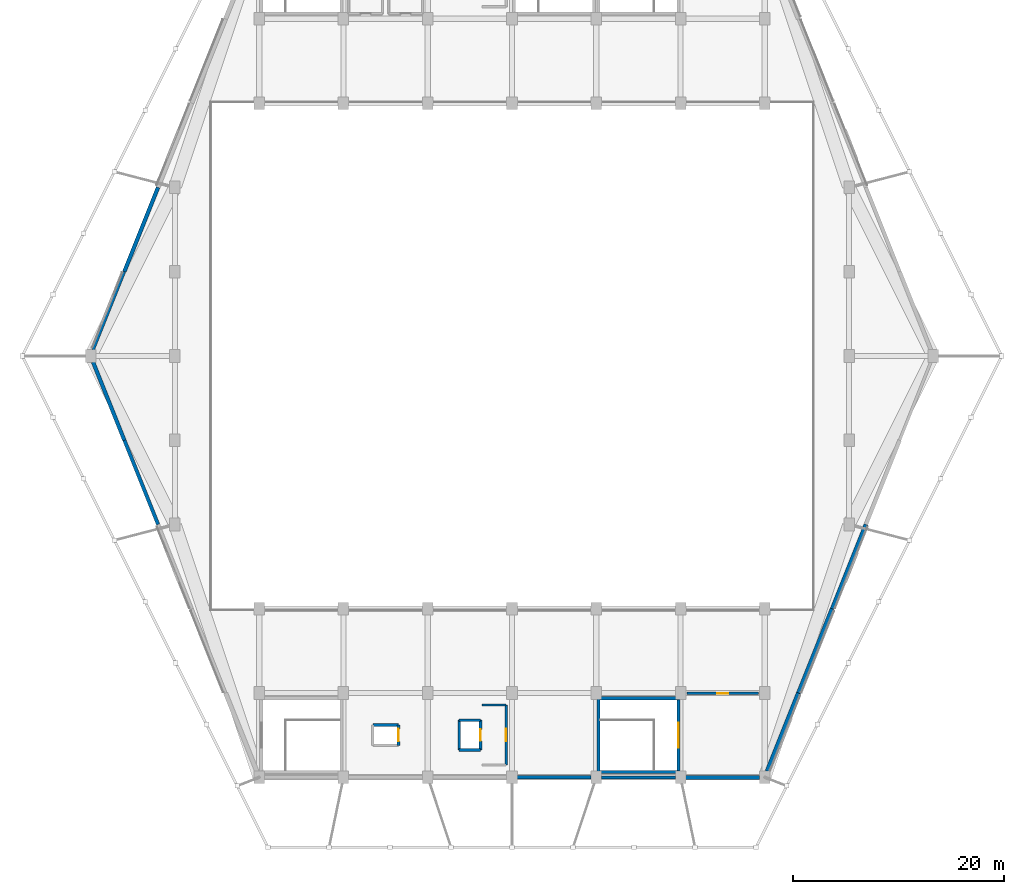
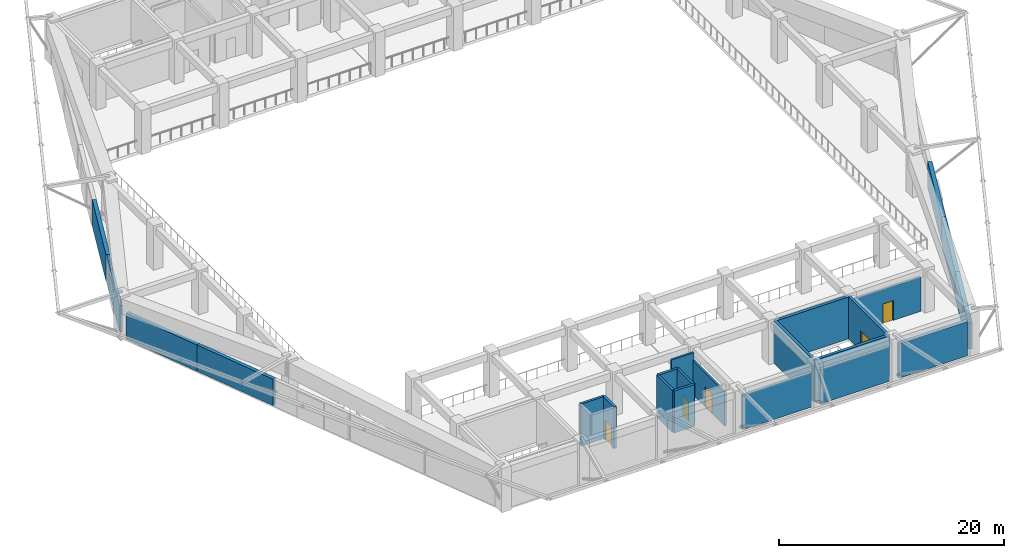
# One storey, part 5 of 9: 23 walls, 5 doors, 5 openings.
"""IFC4 building model written with IfcOpenShell, lengths in metres."""

from ifc_helpers import new_model, si_unit, direction, frame, frame_2d, origin, place, context, subcontext, project, spatial, rectangle, extrude, material, layer, layer_set, type_object, element, fill, save


model = new_model("IFC4")

# Units and contexts
model_context = context("Model", 3, precision=1e-05, world=origin(), true_north=direction((0.0, 1.0)))
body_context = subcontext(model_context, "Body", "Model", "MODEL_VIEW")
ifc_project = project(units=[si_unit("LENGTHUNIT", "METRE"), si_unit("AREAUNIT", "SQUARE_METRE"), si_unit("VOLUMEUNIT", "CUBIC_METRE"), si_unit("PLANEANGLEUNIT", "RADIAN"), si_unit("MASSUNIT", "GRAM", prefix="KILO")], contexts=[model_context])

# Site, building, storey
site_placement = place(None, origin())
site = spatial("IfcSite", under=ifc_project, at=site_placement, CompositionType="ELEMENT")
building_placement = place(site_placement, origin())
building = spatial("IfcBuilding", under=site, at=building_placement, Name="Tazarka Park Arena", CompositionType="ELEMENT")
storey_placement = place(building_placement, frame((0.0, 0.0, 24.60009765625)))
storey = spatial("IfcBuildingStorey", under=building, at=storey_placement, Name="L05", CompositionType="ELEMENT", Elevation=24.60009765625)

# Walls
ifc_material_1 = material(Name="Concrete C40/50", Category="concrete")
ifc_layer_1 = layer(ifc_material_1, 0.300048828125, Name="Concrete C40/50")
ifc_layer_set_1 = layer_set([ifc_layer_1], Name="Concrete C40/50")
wall_type_1 = type_object("IfcWallType", Name="IWAL-CW-S1", PredefinedType="SHEAR", material=ifc_layer_set_1)
wall_1_placement = place(storey_placement, frame((103.800048828125, 24.5, 0.0), z_axis=(0.0, 0.0, 1.0), x_axis=(-1.0, 0.0, 0.0)))
element("IfcWall", 1, at=wall_1_placement, inside=storey, type_object=wall_type_1, Name="SCW-L05-ST11-S", PredefinedType="SHEAR", context=body_context, shape_type="SweptSolid", body=[
    extrude(rectangle(XDim=7.60009765625, YDim=0.300048828125, at=frame_2d((3.800048828125, 0.0))), origin(), (0.0, 0.0, 1.0), 4.5498046875),
])
wall_2_placement = place(storey_placement, frame((96.199951171875, 24.5, 0.0), z_axis=(0.0, 0.0, 1.0), x_axis=(0.0, 1.0, 0.0)))
element("IfcWall", 2, at=wall_2_placement, inside=storey, type_object=wall_type_1, Name="SCW-L05-ST11-W", PredefinedType="SHEAR", context=body_context, shape_type="SweptSolid", body=[
    extrude(rectangle(XDim=7.0, YDim=0.300048828125, at=frame_2d((3.5, 0.0))), origin(), (0.0, 0.0, 1.0), 4.5498046875),
])
wall_3_placement = place(storey_placement, frame((96.199951171875, 31.5, 0.0), z_axis=(0.0, 0.0, 1.0), x_axis=(1.0, 0.0, 0.0)))
element("IfcWall", 3, at=wall_3_placement, inside=storey, type_object=wall_type_1, Name="SCW-L05-ST11-N", PredefinedType="SHEAR", context=body_context, shape_type="SweptSolid", body=[
    extrude(rectangle(XDim=7.60009765625, YDim=0.300048828125, at=frame_2d((3.800048828125, 0.0))), origin(), (0.0, 0.0, 1.0), 4.5498046875),
])

# Wall, opening, door
wall_4_placement = place(storey_placement, frame((103.800048828125, 31.5, 0.0), z_axis=(0.0, 0.0, 1.0), x_axis=(0.0, -1.0, 0.0)))
wall_4 = element("IfcWall", 4, at=wall_4_placement, inside=storey, type_object=wall_type_1, Name="SCW-L05-ST11-E", PredefinedType="SHEAR", context=body_context, shape_type="SweptSolid", body=[
    extrude(rectangle(XDim=7.0, YDim=0.300048828125, at=frame_2d((3.5, 0.0))), origin(), (0.0, 0.0, 1.0), 4.5498046875),
])
opening_1_placement = place(wall_4_placement, frame((2.300048828125, 0.0, 0.0)))
opening_1 = element("IfcOpeningElement", 5, at=opening_1_placement, cuts=wall_4, Name="Opening ID-05", PredefinedType="OPENING", context=body_context, shape_type="SweptSolid", body=[
    extrude(rectangle(XDim=2.39990234375, YDim=2.199951171875, at=frame_2d((1.199951171875, 1.10009765625))), frame((0.0, 0.16015625, 0.0), z_axis=(0.0, -1.0, 0.0), x_axis=(1.0, 0.0, 0.0)), (0.0, 0.0, 1.0), 0.320068359375),
])
ifc_material_2 = material(Name="Fire-rated powder-coated steel and acoustic timber", Category="steel")
door_type_1 = type_object("IfcDoorType", Name="IDR-ID-05", OperationType="NOTDEFINED", PredefinedType="DOOR", material=ifc_material_2)
door_1_placement = place(opening_1_placement, frame((2.39990234375, 0.0, 0.0), z_axis=(0.0, 0.0, 1.0), x_axis=(-1.0, 0.0, 0.0)))
door_1 = element("IfcDoor", 6, at=door_1_placement, inside=storey, type_object=door_type_1, Name="Exit Stair Door ST11-L05", OperationType="DOUBLE_DOOR_SINGLE_SWING", OverallHeight=2.199951171875, OverallWidth=2.39990234375, PredefinedType="DOOR", context=body_context, shape_type="SweptSolid", body=[
    extrude(rectangle(XDim=2.39990234375, YDim=2.199951171875, at=frame_2d((1.199951171875, 1.10009765625))), frame((0.0, 0.02490234375, 0.0), z_axis=(0.0, -1.0, 0.0), x_axis=(1.0, 0.0, 0.0)), (0.0, 0.0, 1.0), 0.050048828125),
])
fill(opening_1, door_1)

# Walls
ifc_material_3 = material(Name="Concrete C40/50", Category="concrete")
ifc_layer_2 = layer(ifc_material_3, 0.260009765625, Name="Concrete C40/50")
ifc_layer_set_2 = layer_set([ifc_layer_2], Name="Concrete C40/50")
wall_type_2 = type_object("IfcWallType", Name="IWAL-CW-S3", PredefinedType="SHEAR", material=ifc_layer_set_2)
wall_5_placement = place(storey_placement, frame((82.97998046875, 26.580078125, 0.0), z_axis=(0.0, 0.0, 1.0), x_axis=(0.0, 1.0, 0.0)))
element("IfcWall", 7, at=wall_5_placement, inside=storey, type_object=wall_type_2, Name="LSW-L05-LF-04-W", PredefinedType="SHEAR", context=body_context, shape_type="SweptSolid", body=[
    extrude(rectangle(XDim=2.83984375, YDim=0.260009765625, at=frame_2d((1.419921875, 0.0))), origin(), (0.0, 0.0, 1.0), 4.5498046875),
])
for number, where, z_axis, x_axis, name in (
    (8, (82.97998046875, 29.419921875, 0.0), (0.0, 0.0, 1.0), (1.0, 0.0, 0.0), "LSW-L05-LF-04-N"),
    (9, (85.02001953125, 26.580078125, 0.0), (0.0, 0.0, 1.0), (-1.0, 0.0, 0.0), "LSW-L05-LF-04-S"),
):
    element("IfcWall", number, at=place(storey_placement, frame(where, z_axis=z_axis, x_axis=x_axis)), inside=storey, type_object=wall_type_2, Name=name, PredefinedType="SHEAR", context=body_context, shape_type="SweptSolid", body=[
        extrude(rectangle(XDim=2.0400390625, YDim=0.260009765625, at=frame_2d((1.02001953125, 0.0))), origin(), (0.0, 0.0, 1.0), 4.5498046875),
    ])

# Wall, opening, door
wall_6_placement = place(storey_placement, frame((85.02001953125, 29.419921875, 0.0), z_axis=(0.0, 0.0, 1.0), x_axis=(0.0, -1.0, 0.0)))
wall_6 = element("IfcWall", 10, at=wall_6_placement, inside=storey, type_object=wall_type_2, Name="LSW-L05-LF-04-E", PredefinedType="SHEAR", context=body_context, shape_type="SweptSolid", body=[
    extrude(rectangle(XDim=2.83984375, YDim=0.260009765625, at=frame_2d((1.419921875, 0.0))), origin(), (0.0, 0.0, 1.0), 4.5498046875),
])
opening_2_placement = place(wall_6_placement, frame((0.8701171875, 0.0, 0.0)))
opening_2 = element("IfcOpeningElement", 11, at=opening_2_placement, cuts=wall_6, Name="Opening LD-01", PredefinedType="OPENING", context=body_context, shape_type="SweptSolid", body=[
    extrude(rectangle(XDim=1.10009765625, YDim=2.14990234375, at=frame_2d((0.550048828125, 1.074951171875))), frame((0.0, 0.14013671875, 0.0), z_axis=(0.0, -1.0, 0.0), x_axis=(1.0, 0.0, 0.0)), (0.0, 0.0, 1.0), 0.280029296875),
])
ifc_material_4 = material(Name="Fire-rated powder-coated steel and acoustic timber", Category="steel")
door_type_2 = type_object("IfcDoorType", Name="IDR-LD-01", OperationType="NOTDEFINED", PredefinedType="DOOR", material=ifc_material_4)
door_2_placement = place(opening_2_placement, origin())
door_2 = element("IfcDoor", 12, at=door_2_placement, inside=storey, type_object=door_type_2, Name="Lift Landing Door LF-04-L05", OperationType="SLIDING_TO_LEFT", OverallHeight=2.14990234375, OverallWidth=1.10009765625, PredefinedType="DOOR", context=body_context, shape_type="SweptSolid", body=[
    extrude(rectangle(XDim=1.10009765625, YDim=2.14990234375, at=frame_2d((0.550048828125, 1.074951171875))), frame((0.0, 0.02490234375, 0.0), z_axis=(0.0, -1.0, 0.0), x_axis=(1.0, 0.0, 0.0)), (0.0, 0.0, 1.0), 0.050048828125),
])
fill(opening_2, door_2)

# Wall
wall_7_placement = place(storey_placement, frame((74.780029296875, 28.969970703125, 0.0), z_axis=(0.0, 0.0, 1.0), x_axis=(1.0, 0.0, 0.0)))
element("IfcWall", 13, at=wall_7_placement, inside=storey, type_object=wall_type_2, Name="LSW-L05-LF-08-N", PredefinedType="SHEAR", context=body_context, shape_type="SweptSolid", body=[
    extrude(rectangle(XDim=2.43994140625, YDim=0.260009765625, at=frame_2d((1.219970703125, 0.0))), origin(), (0.0, 0.0, 1.0), 4.5498046875),
])

# Wall, opening, door
wall_8_placement = place(storey_placement, frame((77.219970703125, 28.969970703125, 0.0), z_axis=(0.0, 0.0, 1.0), x_axis=(0.0, -1.0, 0.0)))
wall_8 = element("IfcWall", 14, at=wall_8_placement, inside=storey, type_object=wall_type_2, Name="LSW-L05-LF-08-E", PredefinedType="SHEAR", context=body_context, shape_type="SweptSolid", body=[
    extrude(rectangle(XDim=1.93994140625, YDim=0.260009765625, at=frame_2d((0.969970703125, 0.0))), origin(), (0.0, 0.0, 1.0), 4.5498046875),
])
opening_3_placement = place(wall_8_placement, frame((0.3701171875, 0.0, 0.0)))
opening_3 = element("IfcOpeningElement", 15, at=opening_3_placement, cuts=wall_8, Name="Opening LD-02", PredefinedType="OPENING", context=body_context, shape_type="SweptSolid", body=[
    extrude(rectangle(XDim=1.199951171875, YDim=2.14990234375, at=frame_2d((0.60009765625, 1.074951171875))), frame((0.0, 0.14013671875, 0.0), z_axis=(0.0, -1.0, 0.0), x_axis=(1.0, 0.0, 0.0)), (0.0, 0.0, 1.0), 0.280029296875),
])
ifc_material_5 = material(Name="Fire-rated powder-coated steel and acoustic timber", Category="steel")
door_type_3 = type_object("IfcDoorType", Name="IDR-LD-02", OperationType="NOTDEFINED", PredefinedType="DOOR", material=ifc_material_5)
door_3_placement = place(opening_3_placement, origin())
door_3 = element("IfcDoor", 16, at=door_3_placement, inside=storey, type_object=door_type_3, Name="Lift Landing Door LF-08-L05", OperationType="SLIDING_TO_LEFT", OverallHeight=2.14990234375, OverallWidth=1.199951171875, PredefinedType="DOOR", context=body_context, shape_type="SweptSolid", body=[
    extrude(rectangle(XDim=1.199951171875, YDim=2.14990234375, at=frame_2d((0.60009765625, 1.074951171875))), frame((0.0, 0.02490234375, 0.0), z_axis=(0.0, -1.0, 0.0), x_axis=(1.0, 0.0, 0.0)), (0.0, 0.0, 1.0), 0.050048828125),
])
fill(opening_3, door_3)

# Wall
ifc_material_6 = material(Name="Reinforced masonry compartment wall", Category="masonry")
ifc_layer_3 = layer(ifc_material_6, 0.199951171875, Name="Reinforced masonry compartment wall")
ifc_layer_set_3 = layer_set([ifc_layer_3], Name="Reinforced masonry compartment wall")
wall_type_3 = type_object("IfcWallType", Name="IWAL-PT-04", PredefinedType="PARTITIONING", material=ifc_layer_set_3)
wall_9_placement = place(storey_placement, frame((85.14990234375, 30.85009765625, 0.0), z_axis=(0.0, 0.0, 1.0), x_axis=(1.0, 0.0, 0.0)))
element("IfcWall", 17, at=wall_9_placement, inside=storey, type_object=wall_type_3, Name="FFW-L05-LF-04-N", PredefinedType="PARTITIONING", context=body_context, shape_type="SweptSolid", body=[
    extrude(rectangle(XDim=2.300048828125, YDim=0.199951171875, at=frame_2d((1.14990234375, 0.0))), origin(), (0.0, 0.0, 1.0), 4.5498046875),
])

# Wall, opening, door
wall_10_placement = place(storey_placement, frame((87.449951171875, 30.85009765625, 0.0), z_axis=(0.0, 0.0, 1.0), x_axis=(0.0, -1.0, 0.0)))
wall_10 = element("IfcWall", 18, at=wall_10_placement, inside=storey, type_object=wall_type_3, Name="FFW-L05-LF-04-E", PredefinedType="PARTITIONING", context=body_context, shape_type="SweptSolid", body=[
    extrude(rectangle(XDim=5.7001953125, YDim=0.199951171875, at=frame_2d((2.85009765625, 0.0))), origin(), (0.0, 0.0, 1.0), 3.7099609375),
])
opening_4_placement = place(wall_10_placement, frame((2.25, 0.0, 0.0)))
opening_4 = element("IfcOpeningElement", 19, at=opening_4_placement, cuts=wall_10, Name="Opening ID-03", PredefinedType="OPENING", context=body_context, shape_type="SweptSolid", body=[
    extrude(rectangle(XDim=1.199951171875, YDim=2.199951171875, at=frame_2d((0.60009765625, 1.10009765625))), frame((0.0, 0.10986328125, 0.0), z_axis=(0.0, -1.0, 0.0), x_axis=(1.0, 0.0, 0.0)), (0.0, 0.0, 1.0), 0.219970703125),
])
ifc_material_7 = material(Name="Fire-rated powder-coated steel and acoustic timber", Category="steel")
door_type_4 = type_object("IfcDoorType", Name="IDR-ID-03", OperationType="NOTDEFINED", PredefinedType="DOOR", material=ifc_material_7)
door_4_placement = place(opening_4_placement, origin())
door_4 = element("IfcDoor", 20, at=door_4_placement, inside=storey, type_object=door_type_4, Name="Firefighting Lobby Door LF-04-L05", OperationType="SINGLE_SWING_RIGHT", OverallHeight=2.199951171875, OverallWidth=1.199951171875, PredefinedType="DOOR", context=body_context, shape_type="SweptSolid", body=[
    extrude(rectangle(XDim=1.199951171875, YDim=2.199951171875, at=frame_2d((0.60009765625, 1.10009765625))), frame((0.0, 0.02490234375, 0.0), z_axis=(0.0, -1.0, 0.0), x_axis=(1.0, 0.0, 0.0)), (0.0, 0.0, 1.0), 0.050048828125),
])
fill(opening_4, door_4)

ifc_material_8 = material(Name="Concrete C35/45", Category="concrete")
ifc_layer_4 = layer(ifc_material_8, 0.239990234375, Name="Concrete C35/45")
ifc_layer_set_4 = layer_set([ifc_layer_4], Name="Concrete C35/45")
wall_type_4 = type_object("IfcWallType", Name="IWAL-PT-06", PredefinedType="STANDARD", material=ifc_layer_set_4)
wall_11_placement = place(storey_placement, frame((104.617919921875, 31.9599609375, 0.0), z_axis=(0.0, 0.0, 1.0), x_axis=(1.0, 0.0, 0.0)))
wall_11 = element("IfcWall", 21, at=wall_11_placement, inside=storey, type_object=wall_type_4, Name="PRT-L05-023", PredefinedType="STANDARD", context=body_context, shape_type="SweptSolid", body=[
    extrude(rectangle(XDim=6.76416015625, YDim=0.239990234375, at=frame_2d((3.382080078125, 0.0))), origin(), (0.0, 0.0, 1.0), 3.7099609375),
])
opening_5_placement = place(wall_11_placement, frame((2.85693359375, 0.0, 0.0)))
opening_5 = element("IfcOpeningElement", 22, at=opening_5_placement, cuts=wall_11, Name="Opening ID-10", PredefinedType="OPENING", context=body_context, shape_type="SweptSolid", body=[
    extrude(rectangle(XDim=1.050048828125, YDim=2.14990234375, at=frame_2d((0.52490234375, 1.074951171875))), frame((0.0, 0.1298828125, 0.0), z_axis=(0.0, -1.0, 0.0), x_axis=(1.0, 0.0, 0.0)), (0.0, 0.0, 1.0), 0.260009765625),
])
ifc_material_9 = material(Name="Fire-rated powder-coated steel and acoustic timber", Category="steel")
door_type_5 = type_object("IfcDoorType", Name="IDR-ID-10", OperationType="NOTDEFINED", PredefinedType="DOOR", material=ifc_material_9)
door_5_placement = place(opening_5_placement, origin())
door_5 = element("IfcDoor", 23, at=door_5_placement, inside=storey, type_object=door_type_5, Name="Room Door Sports Lighting and Acoustic Control Room", OperationType="SINGLE_SWING_LEFT", OverallHeight=2.14990234375, OverallWidth=1.050048828125, PredefinedType="DOOR", context=body_context, shape_type="SweptSolid", body=[
    extrude(rectangle(XDim=1.050048828125, YDim=2.14990234375, at=frame_2d((0.52490234375, 1.074951171875))), frame((0.0, 0.02490234375, 0.0), z_axis=(0.0, -1.0, 0.0), x_axis=(1.0, 0.0, 0.0)), (0.0, 0.0, 1.0), 0.050048828125),
])
fill(opening_5, door_5)

# Walls
ifc_material_10 = material(Name="Concrete C40/50", Category="concrete")
ifc_layer_5 = layer(ifc_material_10, 0.340087890625, Name="Concrete C40/50")
ifc_layer_set_5 = layer_set([ifc_layer_5], Name="Concrete C40/50")
wall_type_5 = type_object("IfcWallType", Name="WAL-EW-03", PredefinedType="SOLIDWALL", material=ifc_layer_set_5)
wall_12_placement = place(storey_placement, frame((54.39990234375, 48.0, 0.0), z_axis=(0.0, 0.0, 1.0), x_axis=(-0.371385791018, 0.928478645005, 0.0)))
element("IfcWall", 24, at=wall_12_placement, inside=storey, type_object=wall_type_5, Name="EW-L05-0386", PredefinedType="SOLIDWALL", context=body_context, shape_type="SweptSolid", body=[
    extrude(rectangle(XDim=8.6162109375, YDim=0.340087890625, at=frame_2d((4.30810546875, 0.0))), origin(), (0.0, 0.0, 1.0), 2.85986328125),
])
ifc_material_11 = material(Name="Concrete C40/50", Category="concrete")
ifc_layer_6 = layer(ifc_material_11, 0.360107421875, Name="Concrete C40/50")
ifc_layer_set_6 = layer_set([ifc_layer_6], Name="Concrete C40/50")
wall_type_6 = type_object("IfcWallType", Name="WAL-EW-04", PredefinedType="SOLIDWALL", material=ifc_layer_set_6)
wall_13_placement = place(storey_placement, frame((51.199951171875, 56.0, 0.0), z_axis=(0.0, 0.0, 1.0), x_axis=(-0.371395943584, 0.928474583976, 0.0)))
element("IfcWall", 25, at=wall_13_placement, inside=storey, type_object=wall_type_6, Name="EW-L05-0387", PredefinedType="SOLIDWALL", context=body_context, shape_type="SweptSolid", body=[
    extrude(rectangle(XDim=7.991455078125, YDim=0.360107421875, at=frame_2d((3.99560546875, 0.0))), origin(), (0.0, 0.0, 1.0), 2.85986328125),
])
ifc_material_12 = material(Name="Concrete C50/60", Category="concrete")
ifc_layer_7 = layer(ifc_material_12, 0.3798828125, Name="Concrete C50/60")
ifc_layer_set_7 = layer_set([ifc_layer_7], Name="Concrete C50/60")
wall_type_7 = type_object("IfcWallType", Name="WAL-EW-05", PredefinedType="SOLIDWALL", material=ifc_layer_set_7)
wall_14_placement = place(storey_placement, frame((111.52001953125, 24.0, 0.0), z_axis=(0.0, 0.0, 1.0), x_axis=(-1.0, 0.0, 0.0)))
element("IfcWall", 26, at=wall_14_placement, inside=storey, type_object=wall_type_7, Name="EW-L05-0356", PredefinedType="SOLIDWALL", context=body_context, shape_type="SweptSolid", body=[
    extrude(rectangle(XDim=7.0400390625, YDim=0.3798828125, at=frame_2d((3.52001953125, 0.0))), origin(), (0.0, 0.0, 1.0), 3.7099609375),
])
ifc_material_13 = material(Name="Precast concrete C40/50", Category="concrete")
ifc_layer_8 = layer(ifc_material_13, 0.280029296875, Name="Precast concrete C40/50")
ifc_layer_set_8 = layer_set([ifc_layer_8], Name="Precast concrete C40/50")
wall_type_8 = type_object("IfcWallType", Name="WAL-EW-06", PredefinedType="SOLIDWALL", material=ifc_layer_set_8)
wall_15_placement = place(storey_placement, frame((103.52001953125, 24.0, 0.0), z_axis=(0.0, 0.0, 1.0), x_axis=(-1.0, 0.0, 0.0)))
element("IfcWall", 27, at=wall_15_placement, inside=storey, type_object=wall_type_8, Name="EW-L05-0357", PredefinedType="SOLIDWALL", context=body_context, shape_type="SweptSolid", body=[
    extrude(rectangle(XDim=7.0400390625, YDim=0.280029296875, at=frame_2d((3.52001953125, 0.0))), origin(), (0.0, 0.0, 1.0), 3.7099609375),
])
ifc_material_14 = material(Name="Precast concrete C40/50", Category="concrete")
ifc_layer_9 = layer(ifc_material_14, 0.2900390625, Name="Precast concrete C40/50")
ifc_layer_set_9 = layer_set([ifc_layer_9], Name="Precast concrete C40/50")
wall_type_9 = type_object("IfcWallType", Name="WAL-EW-07", PredefinedType="SOLIDWALL", material=ifc_layer_set_9)
wall_16_placement = place(storey_placement, frame((95.52001953125, 24.0, 0.0), z_axis=(0.0, 0.0, 1.0), x_axis=(-1.0, 0.0, 0.0)))
element("IfcWall", 28, at=wall_16_placement, inside=storey, type_object=wall_type_9, Name="EW-L05-0358", PredefinedType="SOLIDWALL", context=body_context, shape_type="SweptSolid", body=[
    extrude(rectangle(XDim=7.0400390625, YDim=0.2900390625, at=frame_2d((3.52001953125, 0.0))), origin(), (0.0, 0.0, 1.0), 3.7099609375),
])
ifc_material_15 = material(Name="Precast concrete C40/50", Category="concrete")
ifc_layer_10 = layer(ifc_material_15, 0.27001953125, Name="Precast concrete C40/50")
ifc_layer_set_10 = layer_set([ifc_layer_10], Name="Precast concrete C40/50")
wall_type_10 = type_object("IfcWallType", Name="WAL-EW-11", PredefinedType="SOLIDWALL", material=ifc_layer_set_10)
wall_17_placement = place(storey_placement, frame((48.23193359375, 64.580078125, 0.0), z_axis=(0.0, 0.0, 1.0), x_axis=(0.371395943584, 0.928474583976, 0.0)))
element("IfcWall", 29, at=wall_17_placement, inside=storey, type_object=wall_type_10, Name="EW-L05-0378", PredefinedType="SOLIDWALL", context=body_context, shape_type="SweptSolid", body=[
    extrude(rectangle(XDim=7.991455078125, YDim=0.27001953125, at=frame_2d((3.99560546875, 0.0))), origin(), (0.0, 0.0, 1.0), 2.85986328125),
])
ifc_material_16 = material(Name="Concrete C40/50", Category="concrete")
ifc_layer_11 = layer(ifc_material_16, 0.3701171875, Name="Concrete C40/50")
ifc_layer_set_11 = layer_set([ifc_layer_11], Name="Concrete C40/50")
wall_type_11 = type_object("IfcWallType", Name="WAL-EW-12", PredefinedType="SOLIDWALL", material=ifc_layer_set_11)
wall_18_placement = place(storey_placement, frame((51.199951171875, 72.0, 0.0), z_axis=(0.0, 0.0, 1.0), x_axis=(0.371385791018, 0.928478645005, 0.0)))
element("IfcWall", 30, at=wall_18_placement, inside=storey, type_object=wall_type_11, Name="EW-L05-0379", PredefinedType="SOLIDWALL", context=body_context, shape_type="SweptSolid", body=[
    extrude(rectangle(XDim=8.6162109375, YDim=0.3701171875, at=frame_2d((4.30810546875, 0.0))), origin(), (0.0, 0.0, 1.0), 2.85986328125),
])
ifc_material_17 = material(Name="Concrete C50/60", Category="concrete")
ifc_layer_12 = layer(ifc_material_17, 0.389892578125, Name="Concrete C50/60")
ifc_layer_set_12 = layer_set([ifc_layer_12], Name="Concrete C50/60")
wall_type_12 = type_object("IfcWallType", Name="WAL-EW-13", PredefinedType="SOLIDWALL", material=ifc_layer_set_12)
wall_19_placement = place(storey_placement, frame((121.60009765625, 48.0, 0.0), z_axis=(0.0, 0.0, 1.0), x_axis=(-0.37141021739, -0.928468874232, 0.0)))
element("IfcWall", 31, at=wall_19_placement, inside=storey, type_object=wall_type_12, Name="EW-L05-0364", PredefinedType="SOLIDWALL", context=body_context, shape_type="SweptSolid", body=[
    extrude(rectangle(XDim=8.616455078125, YDim=0.389892578125, at=frame_2d((4.30810546875, 0.0))), origin(), (0.0, 0.0, 1.0), 2.85986328125),
])
ifc_material_18 = material(Name="Concrete C50/60", Category="concrete")
ifc_layer_13 = layer(ifc_material_18, 0.409912109375, Name="Concrete C50/60")
ifc_layer_set_13 = layer_set([ifc_layer_13], Name="Concrete C50/60")
wall_type_13 = type_object("IfcWallType", Name="WAL-EW-14", PredefinedType="SOLIDWALL", material=ifc_layer_set_13)
wall_20_placement = place(storey_placement, frame((118.39990234375, 40.0, 0.0), z_axis=(0.0, 0.0, 1.0), x_axis=(-0.371385791018, -0.928478645005, 0.0)))
element("IfcWall", 32, at=wall_20_placement, inside=storey, type_object=wall_type_13, Name="EW-L05-0365", PredefinedType="SOLIDWALL", context=body_context, shape_type="SweptSolid", body=[
    extrude(rectangle(XDim=8.6162109375, YDim=0.409912109375, at=frame_2d((4.30810546875, 0.0))), origin(), (0.0, 0.0, 1.0), 2.85986328125),
])
ifc_material_19 = material(Name="Concrete C50/60", Category="concrete")
ifc_layer_14 = layer(ifc_material_19, 0.419921875, Name="Concrete C50/60")
ifc_layer_set_14 = layer_set([ifc_layer_14], Name="Concrete C50/60")
wall_type_14 = type_object("IfcWallType", Name="WAL-EW-15", PredefinedType="SOLIDWALL", material=ifc_layer_set_14)
wall_21_placement = place(storey_placement, frame((115.199951171875, 32.0, 0.0), z_axis=(0.0, 0.0, 1.0), x_axis=(-0.371395943584, -0.928474583976, 0.0)))
element("IfcWall", 33, at=wall_21_placement, inside=storey, type_object=wall_type_14, Name="EW-L05-0366", PredefinedType="SOLIDWALL", context=body_context, shape_type="SweptSolid", body=[
    extrude(rectangle(XDim=7.991455078125, YDim=0.419921875, at=frame_2d((3.99560546875, 0.0))), origin(), (0.0, 0.0, 1.0), 2.85986328125),
])

save(model, "model.ifc")
